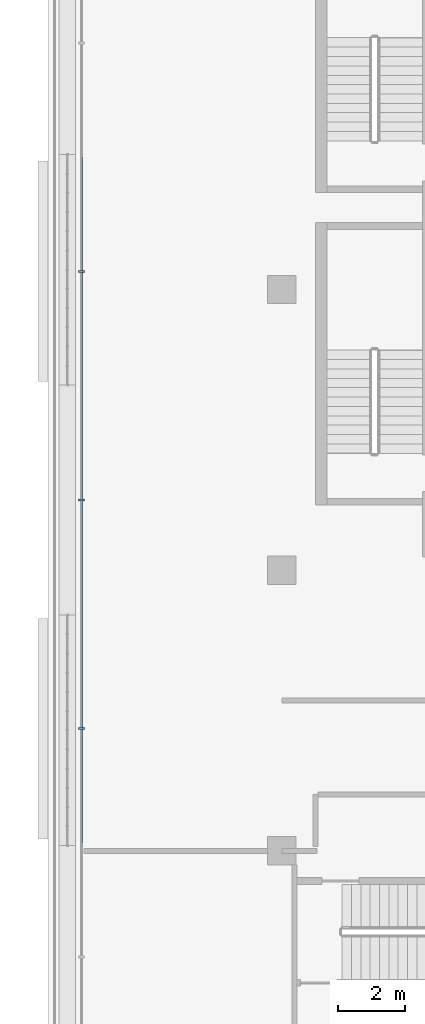
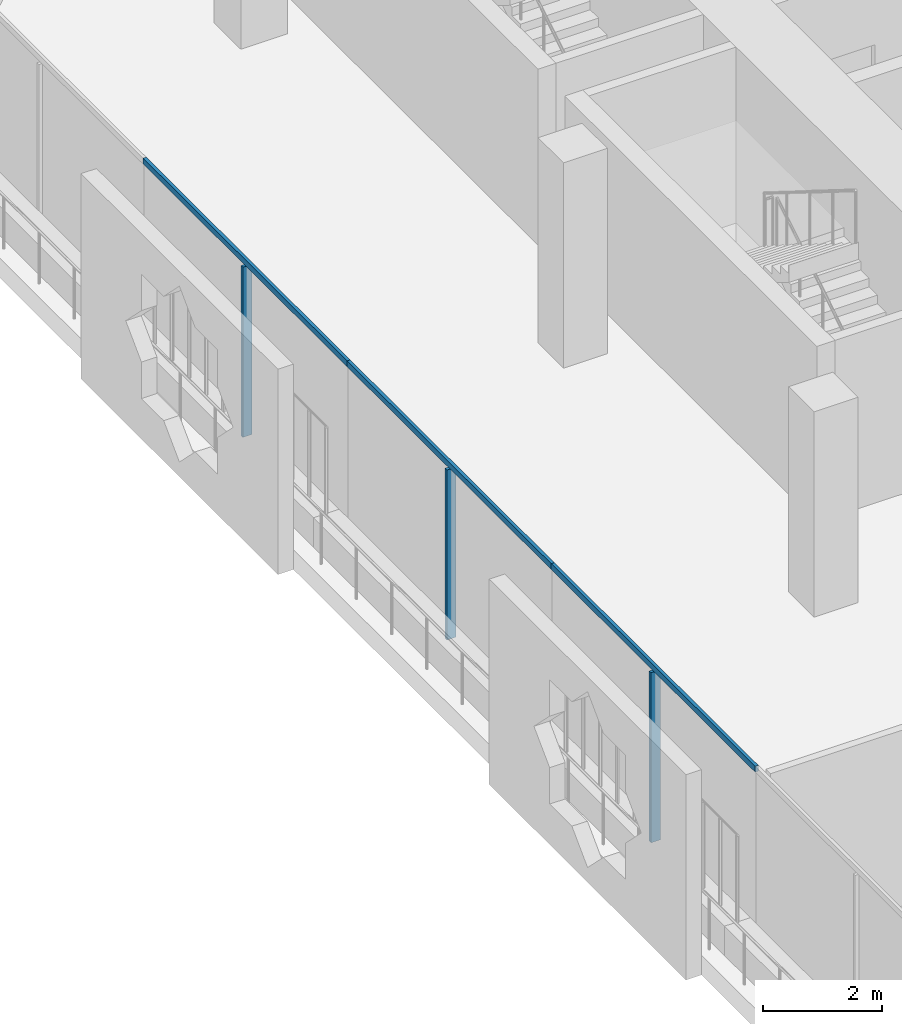
# One storey, part 3 of 21: 6 members, 1 element without a shape of its own.
"""IFC4 building model written with IfcOpenShell, lengths in metres."""

from ifc_helpers import new_model, si_unit, direction, frame, origin, origin_2d, place, context, subcontext, project, spatial, rectangle, extrude, material, layer, layer_set, material_profile, profile_set, type_object, element, aggregate, save


model = new_model("IFC4")

# Units and contexts
model_context = context("Model", 3, precision=1e-05, world=origin(), true_north=direction((0.0, 1.0)))
body_context = subcontext(model_context, "Body", "Model", "MODEL_VIEW")
ifc_project = project(units=[si_unit("LENGTHUNIT", "METRE"), si_unit("AREAUNIT", "SQUARE_METRE"), si_unit("VOLUMEUNIT", "CUBIC_METRE"), si_unit("PLANEANGLEUNIT", "RADIAN"), si_unit("MASSUNIT", "GRAM", prefix="KILO")], contexts=[model_context])

# Site, building, storey
site_placement = place(None, origin())
site = spatial("IfcSite", under=ifc_project, at=site_placement, CompositionType="ELEMENT")
building_placement = place(site_placement, origin())
building = spatial("IfcBuilding", under=site, at=building_placement, Name="Kawkab Arch Medical Tower", CompositionType="ELEMENT")
storey_placement = place(building_placement, frame((0.0, 0.0, 264.199951171875)))
storey = spatial("IfcBuildingStorey", under=building, at=storey_placement, Name="L61", CompositionType="ELEMENT", Elevation=264.199951171875)

# Curtain wall, members
ifc_material_1 = material(Name="Bronze anodised aluminium curtain wall frame", Category="aluminium")
ifc_layer = layer(ifc_material_1, 0.159912109375)
ifc_layer_set = layer_set([ifc_layer], Name="Bronze anodised aluminium curtain wall frame")
curtain_wall_type = type_object("IfcCurtainWallType", Name="CW1 ward curtain wall", PredefinedType="NOTDEFINED", material=ifc_layer_set)
curtain_wall_placement = place(storey_placement, origin())
curtain_wall = element("IfcCurtainWall", 1, at=curtain_wall_placement, inside=storey, type_object=curtain_wall_type, Name="CW1 Ward curtain wall R01", PredefinedType="NOTDEFINED")
ifc_material_2 = material(Name="Bronze anodised aluminium curtain wall frame", Category="aluminium")
ifc_material_profile_1 = material_profile(ifc_material_2, rectangle(XDim=0.179931640625, YDim=0.06005859375, at=origin_2d()), Name="AL 60x180")
ifc_profile_set_1 = profile_set([ifc_material_profile_1], Name="Bronze anodised aluminium curtain wall frame")
member_type_1 = type_object("IfcMemberType", Name="CW1 mullion 60 x 180", PredefinedType="MULLION", material=ifc_profile_set_1)
member_1_placement = place(storey_placement, frame((-6.0, -16.260009765625, 0.0), z_axis=(0.0, 0.0, 1.0), x_axis=(1.0, 0.0, 0.0)))
member_1 = element("IfcMember", 2, at=member_1_placement, type_object=member_type_1, Name="CW1 mullion 2.1", PredefinedType="MULLION", context=body_context, shape_type="SweptSolid", body=[
    extrude(rectangle(XDim=0.179931640625, YDim=0.06005859375, at=origin_2d()), origin(), (0.0, 0.0, 1.0), 3.47998046875),
])
member_2_placement = place(storey_placement, frame((-6.0, -23.10009765625, 0.0), z_axis=(0.0, 0.0, 1.0), x_axis=(1.0, 0.0, 0.0)))
member_2 = element("IfcMember", 3, at=member_2_placement, type_object=member_type_1, Name="CW1 mullion 3.1", PredefinedType="MULLION", context=body_context, shape_type="SweptSolid", body=[
    extrude(rectangle(XDim=0.179931640625, YDim=0.06005859375, at=origin_2d()), origin(), (0.0, 0.0, 1.0), 3.47998046875),
])
member_3_placement = place(storey_placement, frame((-6.0, -29.93994140625, 0.0), z_axis=(0.0, 0.0, 1.0), x_axis=(1.0, 0.0, 0.0)))
member_3 = element("IfcMember", 4, at=member_3_placement, type_object=member_type_1, Name="CW1 mullion 4.1", PredefinedType="MULLION", context=body_context, shape_type="SweptSolid", body=[
    extrude(rectangle(XDim=0.179931640625, YDim=0.06005859375, at=origin_2d()), origin(), (0.0, 0.0, 1.0), 3.47998046875),
])
ifc_material_3 = material(Name="Bronze anodised aluminium curtain wall frame", Category="aluminium")
ifc_material_profile_2 = material_profile(ifc_material_3, rectangle(XDim=0.06005859375, YDim=0.1201171875, at=origin_2d()), Name="AL 60x120")
ifc_profile_set_2 = profile_set([ifc_material_profile_2], Name="Bronze anodised aluminium curtain wall frame")
member_type_2 = type_object("IfcMemberType", Name="CW1 transom 120 x 60", PredefinedType="USERDEFINED", material=ifc_profile_set_2)
member_4_placement = place(storey_placement, frame((-6.0, -12.840087890625, 3.5400390625), z_axis=(0.0, -1.0, 0.0), x_axis=(1.0, 0.0, 0.0)))
member_4 = element("IfcMember", 5, at=member_4_placement, type_object=member_type_2, Name="CW1 transom 2", ObjectType="TRANSOM", PredefinedType="USERDEFINED", context=body_context, shape_type="SweptSolid", body=[
    extrude(rectangle(XDim=0.06005859375, YDim=0.1201171875, at=origin_2d()), origin(), (0.0, 0.0, 1.0), 6.83984375),
])
member_5_placement = place(storey_placement, frame((-6.0, -19.679931640625, 3.5400390625), z_axis=(0.0, -1.0, 0.0), x_axis=(1.0, 0.0, 0.0)))
member_5 = element("IfcMember", 6, at=member_5_placement, type_object=member_type_2, Name="CW1 transom 3", ObjectType="TRANSOM", PredefinedType="USERDEFINED", context=body_context, shape_type="SweptSolid", body=[
    extrude(rectangle(XDim=0.06005859375, YDim=0.1201171875, at=origin_2d()), origin(), (0.0, 0.0, 1.0), 6.840087890625),
])
member_6_placement = place(storey_placement, frame((-6.0, -26.52001953125, 3.5400390625), z_axis=(0.0, -1.0, 0.0), x_axis=(1.0, 0.0, 0.0)))
member_6 = element("IfcMember", 7, at=member_6_placement, type_object=member_type_2, Name="CW1 transom 4", ObjectType="TRANSOM", PredefinedType="USERDEFINED", context=body_context, shape_type="SweptSolid", body=[
    extrude(rectangle(XDim=0.06005859375, YDim=0.1201171875, at=origin_2d()), origin(), (0.0, 0.0, 1.0), 6.840087890625),
])
aggregate(curtain_wall, [member_4, member_1, member_5, member_2, member_6, member_3])

save(model, "model.ifc")
